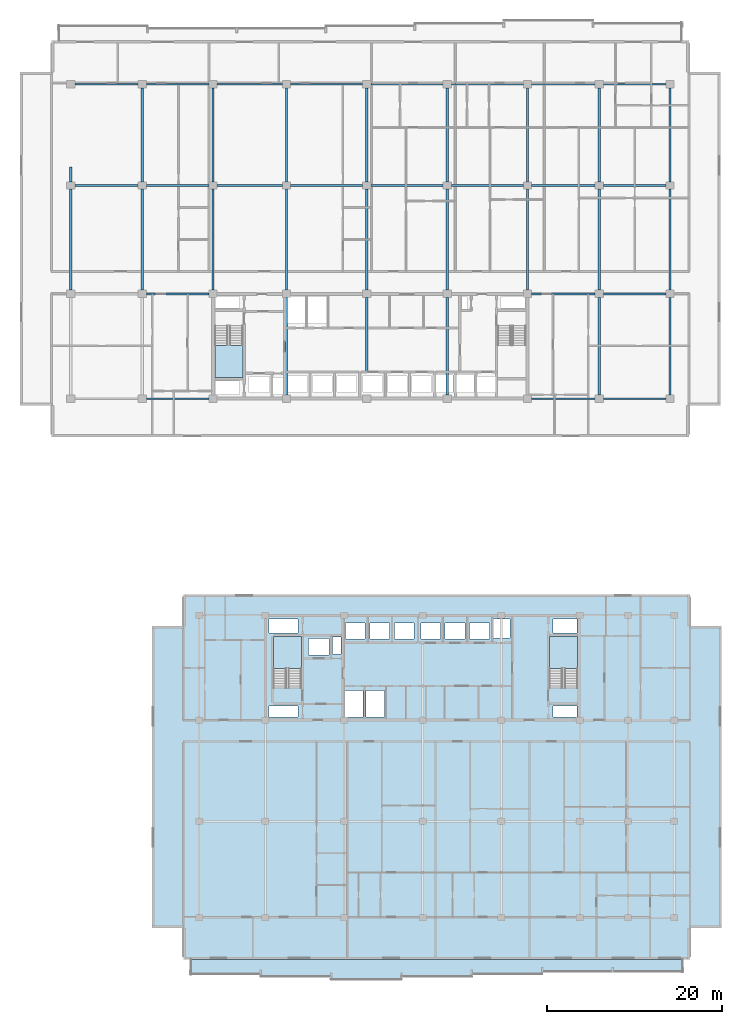
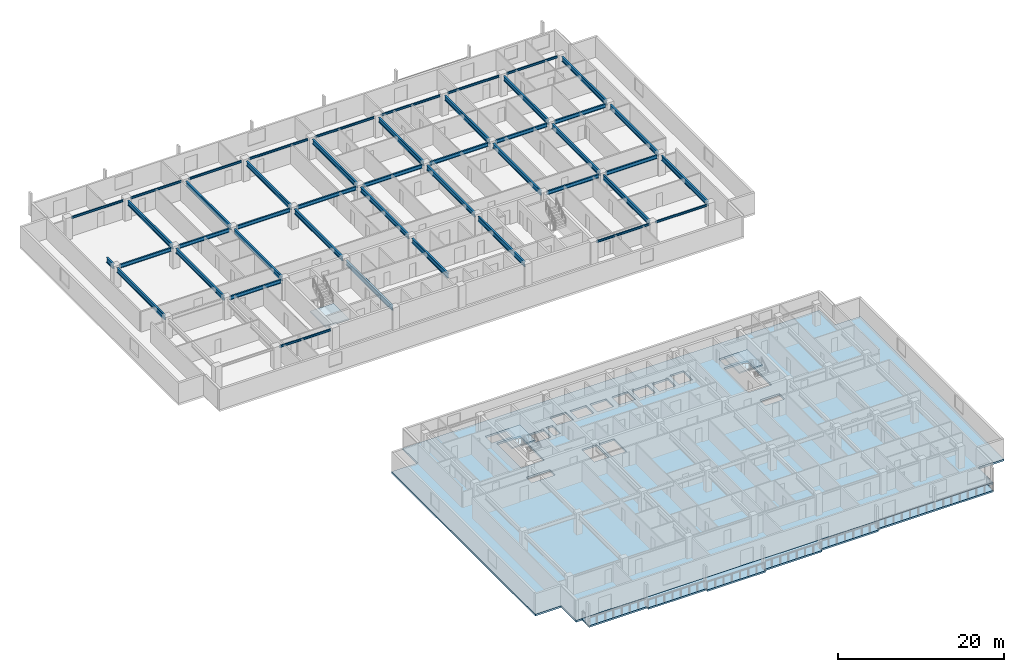
# One storey, part 2 of 21: 45 beams, 5 slabs, 3 elements without a shape of their own.
"""IFC4 building model written with IfcOpenShell, lengths in metres."""

from ifc_helpers import new_model, si_unit, direction, frame, origin, origin_2d, place, context, subcontext, project, spatial, polyline, i_section, outline, extrude, material, layer, layer_set, material_profile, profile_set, type_object, element, aggregate, save


model = new_model("IFC4")

# Units and contexts
model_context = context("Model", 3, precision=1e-05, world=origin(), true_north=direction((0.0, 1.0)))
body_context = subcontext(model_context, "Body", "Model", "MODEL_VIEW")
ifc_project = project(units=[si_unit("LENGTHUNIT", "METRE"), si_unit("AREAUNIT", "SQUARE_METRE"), si_unit("VOLUMEUNIT", "CUBIC_METRE"), si_unit("PLANEANGLEUNIT", "RADIAN"), si_unit("MASSUNIT", "GRAM", prefix="KILO")], contexts=[model_context])

# Site, building, storey
site_placement = place(None, origin())
site = spatial("IfcSite", under=ifc_project, at=site_placement, CompositionType="ELEMENT")
building_placement = place(site_placement, origin())
building = spatial("IfcBuilding", under=site, at=building_placement, Name="Korimba Cascade Residences", CompositionType="ELEMENT")
storey_placement = place(building_placement, frame((0.0, 0.0, 97.050048828125)))
storey = spatial("IfcBuildingStorey", under=building, at=storey_placement, Name="L27", CompositionType="ELEMENT", Elevation=97.050048828125)

# Beams
ifc_material_1 = material(Name="Steel S355", Category="steel")
ifc_material_profile_1 = material_profile(ifc_material_1, i_section(OverallWidth=0.165771484375, OverallDepth=0.306640625, WebThickness=0.006591796875, FlangeThickness=0.01171875, FilletRadius=0.0087890625, at=origin_2d()), Name="Steel S355")
ifc_profile_set_1 = profile_set([ifc_material_profile_1], Name="Steel S355")
beam_type_1 = type_object("IfcBeamType", Name="BM-STL-UB305", PredefinedType="SPANDREL", material=ifc_profile_set_1)
beam_1_placement = place(storey_placement, frame((68.47509765625, 55.199951171875, 2.816650390625), z_axis=(1.0, 0.0, 0.0), x_axis=(0.0, 1.0, 0.0)))
element("IfcBeam", 1, at=beam_1_placement, inside=storey, type_object=beam_type_1, Name="L27 T1 E-W Girder Y1 Bay 2", PredefinedType="SPANDREL", context=body_context, shape_type="SweptSolid", body=[
    extrude(i_section(OverallWidth=0.165771484375, OverallDepth=0.306640625, WebThickness=0.006591796875, FlangeThickness=0.01171875, FilletRadius=0.0087890625, at=origin_2d()), origin(), (0.0, 0.0, 1.0), 7.14990234375),
])
beam_2_placement = place(storey_placement, frame((112.574951171875, 55.199951171875, 2.816650390625), z_axis=(1.0, 0.0, 0.0), x_axis=(0.0, 1.0, 0.0)))
element("IfcBeam", 2, at=beam_2_placement, inside=storey, type_object=beam_type_1, Name="L27 T1 E-W Girder Y1 Bay 7", PredefinedType="SPANDREL", context=body_context, shape_type="SweptSolid", body=[
    extrude(i_section(OverallWidth=0.165771484375, OverallDepth=0.306640625, WebThickness=0.006591796875, FlangeThickness=0.01171875, FilletRadius=0.0087890625, at=origin_2d()), origin(), (0.0, 0.0, 1.0), 7.25),
])
beam_3_placement = place(storey_placement, frame((120.77490234375, 55.199951171875, 2.816650390625), z_axis=(1.0, 0.0, 0.0), x_axis=(0.0, 1.0, 0.0)))
element("IfcBeam", 3, at=beam_3_placement, inside=storey, type_object=beam_type_1, Name="L27 T1 E-W Girder Y1 Bay 8", PredefinedType="SPANDREL", context=body_context, shape_type="SweptSolid", body=[
    extrude(i_section(OverallWidth=0.165771484375, OverallDepth=0.306640625, WebThickness=0.006591796875, FlangeThickness=0.01171875, FilletRadius=0.0087890625, at=origin_2d()), origin(), (0.0, 0.0, 1.0), 7.150146484375),
])
beam_4_placement = place(storey_placement, frame((60.27490234375, 91.199951171875, 2.816650390625), z_axis=(1.0, 0.0, 0.0), x_axis=(0.0, 1.0, 0.0)))
element("IfcBeam", 4, at=beam_4_placement, inside=storey, type_object=beam_type_1, Name="L27 T1 E-W Girder Y4 Bay 1", PredefinedType="SPANDREL", context=body_context, shape_type="SweptSolid", body=[
    extrude(i_section(OverallWidth=0.165771484375, OverallDepth=0.306640625, WebThickness=0.006591796875, FlangeThickness=0.01171875, FilletRadius=0.0087890625, at=origin_2d()), origin(), (0.0, 0.0, 1.0), 7.25),
])
beam_5_placement = place(storey_placement, frame((68.47509765625, 91.199951171875, 2.816650390625), z_axis=(1.0, 0.0, 0.0), x_axis=(0.0, 1.0, 0.0)))
element("IfcBeam", 5, at=beam_5_placement, inside=storey, type_object=beam_type_1, Name="L27 T1 E-W Girder Y4 Bay 2", PredefinedType="SPANDREL", context=body_context, shape_type="SweptSolid", body=[
    extrude(i_section(OverallWidth=0.165771484375, OverallDepth=0.306640625, WebThickness=0.006591796875, FlangeThickness=0.01171875, FilletRadius=0.0087890625, at=origin_2d()), origin(), (0.0, 0.0, 1.0), 7.14990234375),
])
beam_6_placement = place(storey_placement, frame((76.574951171875, 91.199951171875, 2.816650390625), z_axis=(1.0, 0.0, 0.0), x_axis=(0.0, 1.0, 0.0)))
element("IfcBeam", 6, at=beam_6_placement, inside=storey, type_object=beam_type_1, Name="L27 T1 E-W Girder Y4 Bay 3", PredefinedType="SPANDREL", context=body_context, shape_type="SweptSolid", body=[
    extrude(i_section(OverallWidth=0.165771484375, OverallDepth=0.306640625, WebThickness=0.006591796875, FlangeThickness=0.01171875, FilletRadius=0.0087890625, at=origin_2d()), origin(), (0.0, 0.0, 1.0), 7.449951171875),
])
for number, where, z_axis, x_axis, name in (
    (7, (84.97509765625, 91.199951171875, 2.816650390625), (1.0, 0.0, 0.0), (0.0, 1.0, 0.0), "L27 T1 E-W Girder Y4 Bay 4"),
    (8, (94.175048828125, 91.199951171875, 2.816650390625), (1.0, 0.0, 0.0), (0.0, 1.0, 0.0), "L27 T1 E-W Girder Y4 Bay 5"),
    (9, (103.375, 91.199951171875, 2.816650390625), (1.0, 0.0, 0.0), (0.0, 1.0, 0.0), "L27 T1 E-W Girder Y4 Bay 6"),
):
    element("IfcBeam", number, at=place(storey_placement, frame(where, z_axis=z_axis, x_axis=x_axis)), inside=storey, type_object=beam_type_1, Name=name, PredefinedType="SPANDREL", context=body_context, shape_type="SweptSolid", body=[
        extrude(i_section(OverallWidth=0.165771484375, OverallDepth=0.306640625, WebThickness=0.006591796875, FlangeThickness=0.01171875, FilletRadius=0.0087890625, at=origin_2d()), origin(), (0.0, 0.0, 1.0), 8.25),
    ])
beam_7_placement = place(storey_placement, frame((112.574951171875, 91.199951171875, 2.816650390625), z_axis=(1.0, 0.0, 0.0), x_axis=(0.0, 1.0, 0.0)))
element("IfcBeam", 10, at=beam_7_placement, inside=storey, type_object=beam_type_1, Name="L27 T1 E-W Girder Y4 Bay 7", PredefinedType="SPANDREL", context=body_context, shape_type="SweptSolid", body=[
    extrude(i_section(OverallWidth=0.165771484375, OverallDepth=0.306640625, WebThickness=0.006591796875, FlangeThickness=0.01171875, FilletRadius=0.0087890625, at=origin_2d()), origin(), (0.0, 0.0, 1.0), 7.25),
])
beam_8_placement = place(storey_placement, frame((120.77490234375, 91.199951171875, 2.816650390625), z_axis=(1.0, 0.0, 0.0), x_axis=(0.0, 1.0, 0.0)))
element("IfcBeam", 11, at=beam_8_placement, inside=storey, type_object=beam_type_1, Name="L27 T1 E-W Girder Y4 Bay 8", PredefinedType="SPANDREL", context=body_context, shape_type="SweptSolid", body=[
    extrude(i_section(OverallWidth=0.165771484375, OverallDepth=0.306640625, WebThickness=0.006591796875, FlangeThickness=0.01171875, FilletRadius=0.0087890625, at=origin_2d()), origin(), (0.0, 0.0, 1.0), 7.150146484375),
])
ifc_material_profile_2 = material_profile(ifc_material_1, i_section(OverallWidth=0.2099609375, OverallDepth=0.53662109375, WebThickness=0.0107421875, FlangeThickness=0.017333984375, FilletRadius=0.0126953125, at=origin_2d()), Name="Steel S355")
ifc_profile_set_2 = profile_set([ifc_material_profile_2], Name="Steel S355")
beam_type_2 = type_object("IfcBeamType", Name="BM-STL-UB533", PredefinedType="BEAM", material=ifc_profile_set_2)
beam_9_placement = place(storey_placement, frame((68.47509765625, 67.199951171875, 2.70166015625), z_axis=(1.0, 0.0, 0.0), x_axis=(0.0, 1.0, 0.0)))
element("IfcBeam", 12, at=beam_9_placement, inside=storey, type_object=beam_type_2, Name="L27 T1 E-W Girder Y2 Bay 2", PredefinedType="BEAM", context=body_context, shape_type="SweptSolid", body=[
    extrude(i_section(OverallWidth=0.2099609375, OverallDepth=0.53662109375, WebThickness=0.0107421875, FlangeThickness=0.017333984375, FilletRadius=0.0126953125, at=origin_2d()), origin(), (0.0, 0.0, 1.0), 7.14990234375),
])
beam_10_placement = place(storey_placement, frame((112.574951171875, 67.199951171875, 2.70166015625), z_axis=(1.0, 0.0, 0.0), x_axis=(0.0, 1.0, 0.0)))
element("IfcBeam", 13, at=beam_10_placement, inside=storey, type_object=beam_type_2, Name="L27 T1 E-W Girder Y2 Bay 7", PredefinedType="BEAM", context=body_context, shape_type="SweptSolid", body=[
    extrude(i_section(OverallWidth=0.2099609375, OverallDepth=0.53662109375, WebThickness=0.0107421875, FlangeThickness=0.017333984375, FilletRadius=0.0126953125, at=origin_2d()), origin(), (0.0, 0.0, 1.0), 7.25),
])
beam_11_placement = place(storey_placement, frame((120.77490234375, 67.199951171875, 2.70166015625), z_axis=(1.0, 0.0, 0.0), x_axis=(0.0, 1.0, 0.0)))
element("IfcBeam", 14, at=beam_11_placement, inside=storey, type_object=beam_type_2, Name="L27 T1 E-W Girder Y2 Bay 8", PredefinedType="BEAM", context=body_context, shape_type="SweptSolid", body=[
    extrude(i_section(OverallWidth=0.2099609375, OverallDepth=0.53662109375, WebThickness=0.0107421875, FlangeThickness=0.017333984375, FilletRadius=0.0126953125, at=origin_2d()), origin(), (0.0, 0.0, 1.0), 7.150146484375),
])
beam_12_placement = place(storey_placement, frame((60.27490234375, 79.60009765625, 2.70166015625), z_axis=(1.0, 0.0, 0.0), x_axis=(0.0, 1.0, 0.0)))
element("IfcBeam", 15, at=beam_12_placement, inside=storey, type_object=beam_type_2, Name="L27 T1 E-W Girder Y3 Bay 1", PredefinedType="BEAM", context=body_context, shape_type="SweptSolid", body=[
    extrude(i_section(OverallWidth=0.2099609375, OverallDepth=0.53662109375, WebThickness=0.0107421875, FlangeThickness=0.017333984375, FilletRadius=0.0126953125, at=origin_2d()), origin(), (0.0, 0.0, 1.0), 7.25),
])
beam_13_placement = place(storey_placement, frame((68.47509765625, 79.60009765625, 2.70166015625), z_axis=(1.0, 0.0, 0.0), x_axis=(0.0, 1.0, 0.0)))
element("IfcBeam", 16, at=beam_13_placement, inside=storey, type_object=beam_type_2, Name="L27 T1 E-W Girder Y3 Bay 2", PredefinedType="BEAM", context=body_context, shape_type="SweptSolid", body=[
    extrude(i_section(OverallWidth=0.2099609375, OverallDepth=0.53662109375, WebThickness=0.0107421875, FlangeThickness=0.017333984375, FilletRadius=0.0126953125, at=origin_2d()), origin(), (0.0, 0.0, 1.0), 7.14990234375),
])
beam_14_placement = place(storey_placement, frame((76.574951171875, 79.60009765625, 2.70166015625), z_axis=(1.0, 0.0, 0.0), x_axis=(0.0, 1.0, 0.0)))
element("IfcBeam", 17, at=beam_14_placement, inside=storey, type_object=beam_type_2, Name="L27 T1 E-W Girder Y3 Bay 3", PredefinedType="BEAM", context=body_context, shape_type="SweptSolid", body=[
    extrude(i_section(OverallWidth=0.2099609375, OverallDepth=0.53662109375, WebThickness=0.0107421875, FlangeThickness=0.017333984375, FilletRadius=0.0126953125, at=origin_2d()), origin(), (0.0, 0.0, 1.0), 7.449951171875),
])
for number, where, z_axis, x_axis, name in (
    (18, (84.97509765625, 79.60009765625, 2.70166015625), (1.0, 0.0, 0.0), (0.0, 1.0, 0.0), "L27 T1 E-W Girder Y3 Bay 4"),
    (19, (94.175048828125, 79.60009765625, 2.70166015625), (1.0, 0.0, 0.0), (0.0, 1.0, 0.0), "L27 T1 E-W Girder Y3 Bay 5"),
    (20, (103.375, 79.60009765625, 2.70166015625), (1.0, 0.0, 0.0), (0.0, 1.0, 0.0), "L27 T1 E-W Girder Y3 Bay 6"),
):
    element("IfcBeam", number, at=place(storey_placement, frame(where, z_axis=z_axis, x_axis=x_axis)), inside=storey, type_object=beam_type_2, Name=name, PredefinedType="BEAM", context=body_context, shape_type="SweptSolid", body=[
        extrude(i_section(OverallWidth=0.2099609375, OverallDepth=0.53662109375, WebThickness=0.0107421875, FlangeThickness=0.017333984375, FilletRadius=0.0126953125, at=origin_2d()), origin(), (0.0, 0.0, 1.0), 8.25),
    ])
beam_15_placement = place(storey_placement, frame((112.574951171875, 79.60009765625, 2.70166015625), z_axis=(1.0, 0.0, 0.0), x_axis=(0.0, 1.0, 0.0)))
element("IfcBeam", 21, at=beam_15_placement, inside=storey, type_object=beam_type_2, Name="L27 T1 E-W Girder Y3 Bay 7", PredefinedType="BEAM", context=body_context, shape_type="SweptSolid", body=[
    extrude(i_section(OverallWidth=0.2099609375, OverallDepth=0.53662109375, WebThickness=0.0107421875, FlangeThickness=0.017333984375, FilletRadius=0.0126953125, at=origin_2d()), origin(), (0.0, 0.0, 1.0), 7.25),
])
beam_16_placement = place(storey_placement, frame((120.77490234375, 79.60009765625, 2.70166015625), z_axis=(1.0, 0.0, 0.0), x_axis=(0.0, 1.0, 0.0)))
element("IfcBeam", 22, at=beam_16_placement, inside=storey, type_object=beam_type_2, Name="L27 T1 E-W Girder Y3 Bay 8", PredefinedType="BEAM", context=body_context, shape_type="SweptSolid", body=[
    extrude(i_section(OverallWidth=0.2099609375, OverallDepth=0.53662109375, WebThickness=0.0107421875, FlangeThickness=0.017333984375, FilletRadius=0.0126953125, at=origin_2d()), origin(), (0.0, 0.0, 1.0), 7.150146484375),
])
ifc_material_profile_3 = material_profile(ifc_material_1, i_section(OverallWidth=0.255859375, OverallDepth=0.69287109375, WebThickness=0.014404296875, FlangeThickness=0.023681640625, FilletRadius=0.01513671875, at=origin_2d()), Name="Steel S355")
ifc_profile_set_3 = profile_set([ifc_material_profile_3], Name="Steel S355")
beam_type_3 = type_object("IfcBeamType", Name="BM-STL-UB686", PredefinedType="BEAM", material=ifc_profile_set_3)
beam_17_placement = place(storey_placement, frame((59.800048828125, 67.625, 2.62353515625), z_axis=(0.0, 1.0, 0.0), x_axis=(-1.0, 0.0, 0.0)))
element("IfcBeam", 23, at=beam_17_placement, inside=storey, type_object=beam_type_3, Name="L27 T1 N-S Girder X1 Seg 2", PredefinedType="BEAM", context=body_context, shape_type="SweptSolid", body=[
    extrude(i_section(OverallWidth=0.255859375, OverallDepth=0.69287109375, WebThickness=0.014404296875, FlangeThickness=0.023681640625, FilletRadius=0.01513671875, at=origin_2d()), origin(), (0.0, 0.0, 1.0), 11.550048828125),
])
beam_18_placement = place(storey_placement, frame((59.800048828125, 80.02490234375, 2.62353515625), z_axis=(0.0, 1.0, 0.0), x_axis=(-1.0, 0.0, 0.0)))
element("IfcBeam", 24, at=beam_18_placement, inside=storey, type_object=beam_type_3, Name="L27 T1 N-S Girder X1 Seg 3", PredefinedType="BEAM", context=body_context, shape_type="SweptSolid", body=[
    extrude(i_section(OverallWidth=0.255859375, OverallDepth=0.69287109375, WebThickness=0.014404296875, FlangeThickness=0.023681640625, FilletRadius=0.01513671875, at=origin_2d()), origin(), (0.0, 0.0, 1.0), 1.675048828125),
])
beam_19_placement = place(storey_placement, frame((68.0, 67.625, 2.62353515625), z_axis=(0.0, 1.0, 0.0), x_axis=(-1.0, 0.0, 0.0)))
element("IfcBeam", 25, at=beam_19_placement, inside=storey, type_object=beam_type_3, Name="L27 T1 N-S Girder X2 Seg 2", PredefinedType="BEAM", context=body_context, shape_type="SweptSolid", body=[
    extrude(i_section(OverallWidth=0.255859375, OverallDepth=0.69287109375, WebThickness=0.014404296875, FlangeThickness=0.023681640625, FilletRadius=0.01513671875, at=origin_2d()), origin(), (0.0, 0.0, 1.0), 11.550048828125),
])
beam_20_placement = place(storey_placement, frame((68.0, 80.02490234375, 2.62353515625), z_axis=(0.0, 1.0, 0.0), x_axis=(-1.0, 0.0, 0.0)))
element("IfcBeam", 26, at=beam_20_placement, inside=storey, type_object=beam_type_3, Name="L27 T1 N-S Girder X2 Seg 3", PredefinedType="BEAM", context=body_context, shape_type="SweptSolid", body=[
    extrude(i_section(OverallWidth=0.255859375, OverallDepth=0.69287109375, WebThickness=0.014404296875, FlangeThickness=0.023681640625, FilletRadius=0.01513671875, at=origin_2d()), origin(), (0.0, 0.0, 1.0), 10.75),
])
beam_21_placement = place(storey_placement, frame((76.10009765625, 67.625, 2.62353515625), z_axis=(0.0, 1.0, 0.0), x_axis=(-1.0, 0.0, 0.0)))
element("IfcBeam", 27, at=beam_21_placement, inside=storey, type_object=beam_type_3, Name="L27 T1 N-S Girder X3 Seg 2", PredefinedType="BEAM", context=body_context, shape_type="SweptSolid", body=[
    extrude(i_section(OverallWidth=0.255859375, OverallDepth=0.69287109375, WebThickness=0.014404296875, FlangeThickness=0.023681640625, FilletRadius=0.01513671875, at=origin_2d()), origin(), (0.0, 0.0, 1.0), 11.550048828125),
])
beam_22_placement = place(storey_placement, frame((76.10009765625, 80.02490234375, 2.62353515625), z_axis=(0.0, 1.0, 0.0), x_axis=(-1.0, 0.0, 0.0)))
element("IfcBeam", 28, at=beam_22_placement, inside=storey, type_object=beam_type_3, Name="L27 T1 N-S Girder X3 Seg 3", PredefinedType="BEAM", context=body_context, shape_type="SweptSolid", body=[
    extrude(i_section(OverallWidth=0.255859375, OverallDepth=0.69287109375, WebThickness=0.014404296875, FlangeThickness=0.023681640625, FilletRadius=0.01513671875, at=origin_2d()), origin(), (0.0, 0.0, 1.0), 10.75),
])
beam_23_placement = place(storey_placement, frame((84.5, 55.625, 2.62353515625), z_axis=(0.0, 1.0, 0.0), x_axis=(-1.0, 0.0, 0.0)))
element("IfcBeam", 29, at=beam_23_placement, inside=storey, type_object=beam_type_3, Name="L27 T1 N-S Girder X4 Seg 1", PredefinedType="BEAM", context=body_context, shape_type="SweptSolid", body=[
    extrude(i_section(OverallWidth=0.255859375, OverallDepth=0.69287109375, WebThickness=0.014404296875, FlangeThickness=0.023681640625, FilletRadius=0.01513671875, at=origin_2d()), origin(), (0.0, 0.0, 1.0), 11.14990234375),
])
beam_24_placement = place(storey_placement, frame((84.5, 67.625, 2.62353515625), z_axis=(0.0, 1.0, 0.0), x_axis=(-1.0, 0.0, 0.0)))
element("IfcBeam", 30, at=beam_24_placement, inside=storey, type_object=beam_type_3, Name="L27 T1 N-S Girder X4 Seg 2", PredefinedType="BEAM", context=body_context, shape_type="SweptSolid", body=[
    extrude(i_section(OverallWidth=0.255859375, OverallDepth=0.69287109375, WebThickness=0.014404296875, FlangeThickness=0.023681640625, FilletRadius=0.01513671875, at=origin_2d()), origin(), (0.0, 0.0, 1.0), 11.550048828125),
])
beam_25_placement = place(storey_placement, frame((84.5, 80.02490234375, 2.62353515625), z_axis=(0.0, 1.0, 0.0), x_axis=(-1.0, 0.0, 0.0)))
element("IfcBeam", 31, at=beam_25_placement, inside=storey, type_object=beam_type_3, Name="L27 T1 N-S Girder X4 Seg 3", PredefinedType="BEAM", context=body_context, shape_type="SweptSolid", body=[
    extrude(i_section(OverallWidth=0.255859375, OverallDepth=0.69287109375, WebThickness=0.014404296875, FlangeThickness=0.023681640625, FilletRadius=0.01513671875, at=origin_2d()), origin(), (0.0, 0.0, 1.0), 10.75),
])
beam_26_placement = place(storey_placement, frame((93.699951171875, 58.159912109375, 2.62353515625), z_axis=(0.0, 1.0, 0.0), x_axis=(-1.0, 0.0, 0.0)))
element("IfcBeam", 32, at=beam_26_placement, inside=storey, type_object=beam_type_3, Name="L27 T1 N-S Girder X5 Seg 1", PredefinedType="BEAM", context=body_context, shape_type="SweptSolid", body=[
    extrude(i_section(OverallWidth=0.255859375, OverallDepth=0.69287109375, WebThickness=0.014404296875, FlangeThickness=0.023681640625, FilletRadius=0.01513671875, at=origin_2d()), origin(), (0.0, 0.0, 1.0), 8.614990234375),
])
beam_27_placement = place(storey_placement, frame((93.699951171875, 67.625, 2.62353515625), z_axis=(0.0, 1.0, 0.0), x_axis=(-1.0, 0.0, 0.0)))
element("IfcBeam", 33, at=beam_27_placement, inside=storey, type_object=beam_type_3, Name="L27 T1 N-S Girder X5 Seg 2", PredefinedType="BEAM", context=body_context, shape_type="SweptSolid", body=[
    extrude(i_section(OverallWidth=0.255859375, OverallDepth=0.69287109375, WebThickness=0.014404296875, FlangeThickness=0.023681640625, FilletRadius=0.01513671875, at=origin_2d()), origin(), (0.0, 0.0, 1.0), 11.550048828125),
])
beam_28_placement = place(storey_placement, frame((93.699951171875, 80.02490234375, 2.62353515625), z_axis=(0.0, 1.0, 0.0), x_axis=(-1.0, 0.0, 0.0)))
element("IfcBeam", 34, at=beam_28_placement, inside=storey, type_object=beam_type_3, Name="L27 T1 N-S Girder X5 Seg 3", PredefinedType="BEAM", context=body_context, shape_type="SweptSolid", body=[
    extrude(i_section(OverallWidth=0.255859375, OverallDepth=0.69287109375, WebThickness=0.014404296875, FlangeThickness=0.023681640625, FilletRadius=0.01513671875, at=origin_2d()), origin(), (0.0, 0.0, 1.0), 10.75),
])
beam_29_placement = place(storey_placement, frame((102.89990234375, 55.625, 2.62353515625), z_axis=(0.0, 1.0, 0.0), x_axis=(-1.0, 0.0, 0.0)))
element("IfcBeam", 35, at=beam_29_placement, inside=storey, type_object=beam_type_3, Name="L27 T1 N-S Girder X6 Seg 1", PredefinedType="BEAM", context=body_context, shape_type="SweptSolid", body=[
    extrude(i_section(OverallWidth=0.255859375, OverallDepth=0.69287109375, WebThickness=0.014404296875, FlangeThickness=0.023681640625, FilletRadius=0.01513671875, at=origin_2d()), origin(), (0.0, 0.0, 1.0), 11.14990234375),
])
beam_30_placement = place(storey_placement, frame((102.89990234375, 67.625, 2.62353515625), z_axis=(0.0, 1.0, 0.0), x_axis=(-1.0, 0.0, 0.0)))
element("IfcBeam", 36, at=beam_30_placement, inside=storey, type_object=beam_type_3, Name="L27 T1 N-S Girder X6 Seg 2", PredefinedType="BEAM", context=body_context, shape_type="SweptSolid", body=[
    extrude(i_section(OverallWidth=0.255859375, OverallDepth=0.69287109375, WebThickness=0.014404296875, FlangeThickness=0.023681640625, FilletRadius=0.01513671875, at=origin_2d()), origin(), (0.0, 0.0, 1.0), 11.550048828125),
])
beam_31_placement = place(storey_placement, frame((102.89990234375, 80.02490234375, 2.62353515625), z_axis=(0.0, 1.0, 0.0), x_axis=(-1.0, 0.0, 0.0)))
element("IfcBeam", 37, at=beam_31_placement, inside=storey, type_object=beam_type_3, Name="L27 T1 N-S Girder X6 Seg 3", PredefinedType="BEAM", context=body_context, shape_type="SweptSolid", body=[
    extrude(i_section(OverallWidth=0.255859375, OverallDepth=0.69287109375, WebThickness=0.014404296875, FlangeThickness=0.023681640625, FilletRadius=0.01513671875, at=origin_2d()), origin(), (0.0, 0.0, 1.0), 10.75),
])
beam_32_placement = place(storey_placement, frame((112.10009765625, 67.625, 2.62353515625), z_axis=(0.0, 1.0, 0.0), x_axis=(-1.0, 0.0, 0.0)))
element("IfcBeam", 38, at=beam_32_placement, inside=storey, type_object=beam_type_3, Name="L27 T1 N-S Girder X7 Seg 2", PredefinedType="BEAM", context=body_context, shape_type="SweptSolid", body=[
    extrude(i_section(OverallWidth=0.255859375, OverallDepth=0.69287109375, WebThickness=0.014404296875, FlangeThickness=0.023681640625, FilletRadius=0.01513671875, at=origin_2d()), origin(), (0.0, 0.0, 1.0), 11.550048828125),
])
beam_33_placement = place(storey_placement, frame((112.10009765625, 80.02490234375, 2.62353515625), z_axis=(0.0, 1.0, 0.0), x_axis=(-1.0, 0.0, 0.0)))
element("IfcBeam", 39, at=beam_33_placement, inside=storey, type_object=beam_type_3, Name="L27 T1 N-S Girder X7 Seg 3", PredefinedType="BEAM", context=body_context, shape_type="SweptSolid", body=[
    extrude(i_section(OverallWidth=0.255859375, OverallDepth=0.69287109375, WebThickness=0.014404296875, FlangeThickness=0.023681640625, FilletRadius=0.01513671875, at=origin_2d()), origin(), (0.0, 0.0, 1.0), 10.75),
])
beam_34_placement = place(storey_placement, frame((120.300048828125, 55.625, 2.62353515625), z_axis=(0.0, 1.0, 0.0), x_axis=(-1.0, 0.0, 0.0)))
element("IfcBeam", 40, at=beam_34_placement, inside=storey, type_object=beam_type_3, Name="L27 T1 N-S Girder X8 Seg 1", PredefinedType="BEAM", context=body_context, shape_type="SweptSolid", body=[
    extrude(i_section(OverallWidth=0.255859375, OverallDepth=0.69287109375, WebThickness=0.014404296875, FlangeThickness=0.023681640625, FilletRadius=0.01513671875, at=origin_2d()), origin(), (0.0, 0.0, 1.0), 11.14990234375),
])
beam_35_placement = place(storey_placement, frame((120.300048828125, 67.625, 2.62353515625), z_axis=(0.0, 1.0, 0.0), x_axis=(-1.0, 0.0, 0.0)))
element("IfcBeam", 41, at=beam_35_placement, inside=storey, type_object=beam_type_3, Name="L27 T1 N-S Girder X8 Seg 2", PredefinedType="BEAM", context=body_context, shape_type="SweptSolid", body=[
    extrude(i_section(OverallWidth=0.255859375, OverallDepth=0.69287109375, WebThickness=0.014404296875, FlangeThickness=0.023681640625, FilletRadius=0.01513671875, at=origin_2d()), origin(), (0.0, 0.0, 1.0), 11.550048828125),
])
beam_36_placement = place(storey_placement, frame((120.300048828125, 80.02490234375, 2.62353515625), z_axis=(0.0, 1.0, 0.0), x_axis=(-1.0, 0.0, 0.0)))
element("IfcBeam", 42, at=beam_36_placement, inside=storey, type_object=beam_type_3, Name="L27 T1 N-S Girder X8 Seg 3", PredefinedType="BEAM", context=body_context, shape_type="SweptSolid", body=[
    extrude(i_section(OverallWidth=0.255859375, OverallDepth=0.69287109375, WebThickness=0.014404296875, FlangeThickness=0.023681640625, FilletRadius=0.01513671875, at=origin_2d()), origin(), (0.0, 0.0, 1.0), 10.75),
])
beam_37_placement = place(storey_placement, frame((128.39990234375, 55.625, 2.62353515625), z_axis=(0.0, 1.0, 0.0), x_axis=(-1.0, 0.0, 0.0)))
element("IfcBeam", 43, at=beam_37_placement, inside=storey, type_object=beam_type_3, Name="L27 T1 N-S Girder X9 Seg 1", PredefinedType="BEAM", context=body_context, shape_type="SweptSolid", body=[
    extrude(i_section(OverallWidth=0.255859375, OverallDepth=0.69287109375, WebThickness=0.014404296875, FlangeThickness=0.023681640625, FilletRadius=0.01513671875, at=origin_2d()), origin(), (0.0, 0.0, 1.0), 11.14990234375),
])
beam_38_placement = place(storey_placement, frame((128.39990234375, 67.625, 2.62353515625), z_axis=(0.0, 1.0, 0.0), x_axis=(-1.0, 0.0, 0.0)))
element("IfcBeam", 44, at=beam_38_placement, inside=storey, type_object=beam_type_3, Name="L27 T1 N-S Girder X9 Seg 2", PredefinedType="BEAM", context=body_context, shape_type="SweptSolid", body=[
    extrude(i_section(OverallWidth=0.255859375, OverallDepth=0.69287109375, WebThickness=0.014404296875, FlangeThickness=0.023681640625, FilletRadius=0.01513671875, at=origin_2d()), origin(), (0.0, 0.0, 1.0), 11.550048828125),
])
beam_39_placement = place(storey_placement, frame((128.39990234375, 80.02490234375, 2.62353515625), z_axis=(0.0, 1.0, 0.0), x_axis=(-1.0, 0.0, 0.0)))
element("IfcBeam", 45, at=beam_39_placement, inside=storey, type_object=beam_type_3, Name="L27 T1 N-S Girder X9 Seg 3", PredefinedType="BEAM", context=body_context, shape_type="SweptSolid", body=[
    extrude(i_section(OverallWidth=0.255859375, OverallDepth=0.69287109375, WebThickness=0.014404296875, FlangeThickness=0.023681640625, FilletRadius=0.01513671875, at=origin_2d()), origin(), (0.0, 0.0, 1.0), 10.75),
])

# Stair, slab
ifc_material_2 = material(Name="Concrete C50/60", Category="concrete")
stair_type_1 = type_object("IfcStairType", Name="STR-W1-18R-1806", PredefinedType="HALF_TURN_STAIR", material=ifc_material_2)
stair_1_placement = place(storey_placement, origin())
stair_1 = element("IfcStair", 46, at=stair_1_placement, inside=storey, type_object=stair_type_1, Name="L27 Tower 1 West Fire Stair ST-W1", PredefinedType="HALF_TURN_STAIR")
ifc_layer_1 = layer(ifc_material_2, 0.199951171875)
ifc_layer_set_1 = layer_set([ifc_layer_1], Name="Concrete C50/60")
slab_type_1 = type_object("IfcSlabType", Name="SLB-LND-220", PredefinedType="LANDING", material=ifc_layer_set_1)
slab_1_placement = place(storey_placement, frame((0.0, 0.0, 1.425048828125)))
slab_1 = element("IfcSlab", 47, at=slab_1_placement, type_object=slab_type_1, Name="ST-W1 landing 1", PredefinedType="LANDING", context=body_context, shape_type="SweptSolid", body=[
    extrude(outline(polyline([(76.300048828125, 61.31005859375), (76.300048828125, 57.60009765625), (79.5400390625, 57.60009765625), (79.5400390625, 61.31005859375), (76.300048828125, 61.31005859375)])), origin(), (0.0, 0.0, 1.0), 0.199951171875),
])
aggregate(stair_1, [slab_1])

stair_type_2 = type_object("IfcStairType", Name="STR-E1-18R-1806", PredefinedType="HALF_TURN_STAIR", material=ifc_material_2)
stair_2_placement = place(storey_placement, origin())
stair_2 = element("IfcStair", 48, at=stair_2_placement, inside=storey, type_object=stair_type_2, Name="L27 Tower 2 West Fire Stair ST-E1", PredefinedType="HALF_TURN_STAIR")
slab_2_placement = place(storey_placement, frame((0.0, 0.0, 1.425048828125)))
slab_2 = element("IfcSlab", 49, at=slab_2_placement, type_object=slab_type_1, Name="ST-E1 landing 1", PredefinedType="LANDING", context=body_context, shape_type="SweptSolid", body=[
    extrude(outline(polyline([(86.239990234375, 24.2900390625), (86.239990234375, 28.0), (83.0, 28.0), (83.0, 24.2900390625), (86.239990234375, 24.2900390625)])), origin(), (0.0, 0.0, 1.0), 0.199951171875),
])
aggregate(stair_2, [slab_2])

stair_type_3 = type_object("IfcStairType", Name="STR-E2-18R-1806", PredefinedType="HALF_TURN_STAIR", material=ifc_material_2)
stair_3_placement = place(storey_placement, origin())
stair_3 = element("IfcStair", 50, at=stair_3_placement, inside=storey, type_object=stair_type_3, Name="L27 Tower 2 East Fire Stair ST-E2", PredefinedType="HALF_TURN_STAIR")
slab_3_placement = place(storey_placement, frame((0.0, 0.0, 1.425048828125)))
slab_3 = element("IfcSlab", 51, at=slab_3_placement, type_object=slab_type_1, Name="ST-E2 landing 1", PredefinedType="LANDING", context=body_context, shape_type="SweptSolid", body=[
    extrude(outline(polyline([(117.840087890625, 24.2900390625), (117.840087890625, 28.0), (114.60009765625, 28.0), (114.60009765625, 24.2900390625), (117.840087890625, 24.2900390625)])), origin(), (0.0, 0.0, 1.0), 0.199951171875),
])
aggregate(stair_3, [slab_3])

# Slabs
ifc_material_3 = material(Name="Precast concrete C40/50", Category="concrete")
ifc_layer_2 = layer(ifc_material_3, 0.239990234375)
ifc_layer_set_2 = layer_set([ifc_layer_2], Name="Precast concrete C40/50")
slab_type_2 = type_object("IfcSlabType", Name="SLB-LOG-240", PredefinedType="FLOOR", material=ifc_layer_set_2)
slab_4_placement = place(storey_placement, frame((0.0, 0.0, -0.239990234375)))
element("IfcSlab", 52, at=slab_4_placement, inside=storey, type_object=slab_type_2, Name="L27 Tower 2 South Loggia Slab", PredefinedType="FLOOR", context=body_context, shape_type="SweptSolid", body=[
    extrude(outline(polyline([(73.5, -10.75), (81.55712890625, -10.75), (81.55712890625, -11.050048828125), (89.6142578125, -11.050048828125), (89.6142578125, -11.35009765625), (97.67138671875, -11.35009765625), (97.67138671875, -11.050048828125), (105.728515625, -11.050048828125), (105.728515625, -10.75), (113.78564453125, -10.75), (113.78564453125, -10.449951171875), (129.89990234375, -10.449951171875), (129.89990234375, -9.0), (73.5, -9.0), (73.5, -10.75)])), origin(), (0.0, 0.0, 1.0), 0.239990234375),
])
ifc_layer_3 = layer(ifc_material_2, 0.280029296875)
ifc_layer_set_3 = layer_set([ifc_layer_3], Name="Concrete C50/60")
slab_type_3 = type_object("IfcSlabType", Name="SLB-TYP-280", PredefinedType="FLOOR", material=ifc_layer_set_3)
slab_5_placement = place(storey_placement, frame((0.0, 0.0, -0.280029296875)))
element("IfcSlab", 53, at=slab_5_placement, inside=storey, type_object=slab_type_3, Name="L27 Tower 2 Floor Slab", PredefinedType="FLOOR", context=body_context, shape_type="SweptSolid", body=[
    extrude(outline(polyline([(72.699951171875, -9.0), (130.699951171875, -9.0), (130.699951171875, -5.39990234375), (134.300048828125, -5.39990234375), (134.300048828125, 29.199951171875), (130.699951171875, 29.199951171875), (130.699951171875, 32.800048828125), (72.699951171875, 32.800048828125), (72.699951171875, 29.199951171875), (69.10009765625, 29.199951171875), (69.10009765625, -5.39990234375), (72.699951171875, -5.39990234375), (72.699951171875, -9.0)]), holes=[polyline([(86.239990234375, 22.0849609375), (86.239990234375, 28.0), (83.0, 28.0), (83.0, 22.0849609375), (86.239990234375, 22.0849609375)]), polyline([(117.840087890625, 22.0849609375), (117.840087890625, 28.0), (114.60009765625, 28.0), (114.60009765625, 22.0849609375), (117.840087890625, 22.0849609375)]), polyline([(87.030029296875, 25.8798828125), (89.3701171875, 25.8798828125), (89.3701171875, 27.719970703125), (87.030029296875, 27.719970703125), (87.030029296875, 25.8798828125)]), polyline([(91.280029296875, 27.679931640625), (93.52001953125, 27.679931640625), (93.52001953125, 29.52001953125), (91.280029296875, 29.52001953125), (91.280029296875, 27.679931640625)]), polyline([(94.080078125, 27.679931640625), (96.320068359375, 27.679931640625), (96.320068359375, 29.52001953125), (94.080078125, 29.52001953125), (94.080078125, 27.679931640625)]), polyline([(96.8798828125, 27.679931640625), (99.1201171875, 27.679931640625), (99.1201171875, 29.52001953125), (96.8798828125, 29.52001953125), (96.8798828125, 27.679931640625)]), polyline([(99.8798828125, 27.679931640625), (102.1201171875, 27.679931640625), (102.1201171875, 29.52001953125), (99.8798828125, 29.52001953125), (99.8798828125, 27.679931640625)]), polyline([(102.679931640625, 27.679931640625), (104.919921875, 27.679931640625), (104.919921875, 29.52001953125), (102.679931640625, 29.52001953125), (102.679931640625, 27.679931640625)]), polyline([(105.47998046875, 27.679931640625), (107.719970703125, 27.679931640625), (107.719970703125, 29.52001953125), (105.47998046875, 29.52001953125), (105.47998046875, 27.679931640625)]), polyline([(89.780029296875, 25.97998046875), (90.719970703125, 25.97998046875), (90.719970703125, 27.919921875), (89.780029296875, 27.919921875), (89.780029296875, 25.97998046875)]), polyline([(82.530029296875, 18.72998046875), (85.800048828125, 18.72998046875), (85.800048828125, 20.0400390625), (82.530029296875, 20.0400390625), (82.530029296875, 18.72998046875)]), polyline([(82.530029296875, 28.360107421875), (85.800048828125, 28.360107421875), (85.800048828125, 29.969970703125), (82.530029296875, 29.969970703125), (82.530029296875, 28.360107421875)]), polyline([(108.22998046875, 27.780029296875), (110.1201171875, 27.780029296875), (110.1201171875, 29.969970703125), (108.22998046875, 29.969970703125), (108.22998046875, 27.780029296875)]), polyline([(91.22998046875, 18.72998046875), (93.27001953125, 18.72998046875), (93.27001953125, 21.780029296875), (91.22998046875, 21.780029296875), (91.22998046875, 18.72998046875)]), polyline([(93.6298828125, 18.72998046875), (95.719970703125, 18.72998046875), (95.719970703125, 21.780029296875), (93.6298828125, 21.780029296875), (93.6298828125, 18.72998046875)]), polyline([(115.02001953125, 18.72998046875), (117.739990234375, 18.72998046875), (117.739990234375, 20.0400390625), (115.02001953125, 20.0400390625), (115.02001953125, 18.72998046875)]), polyline([(115.02001953125, 28.360107421875), (117.739990234375, 28.360107421875), (117.739990234375, 29.969970703125), (115.02001953125, 29.969970703125), (115.02001953125, 28.360107421875)])]), origin(), (0.0, 0.0, 1.0), 0.280029296875),
])

save(model, "model.ifc")
